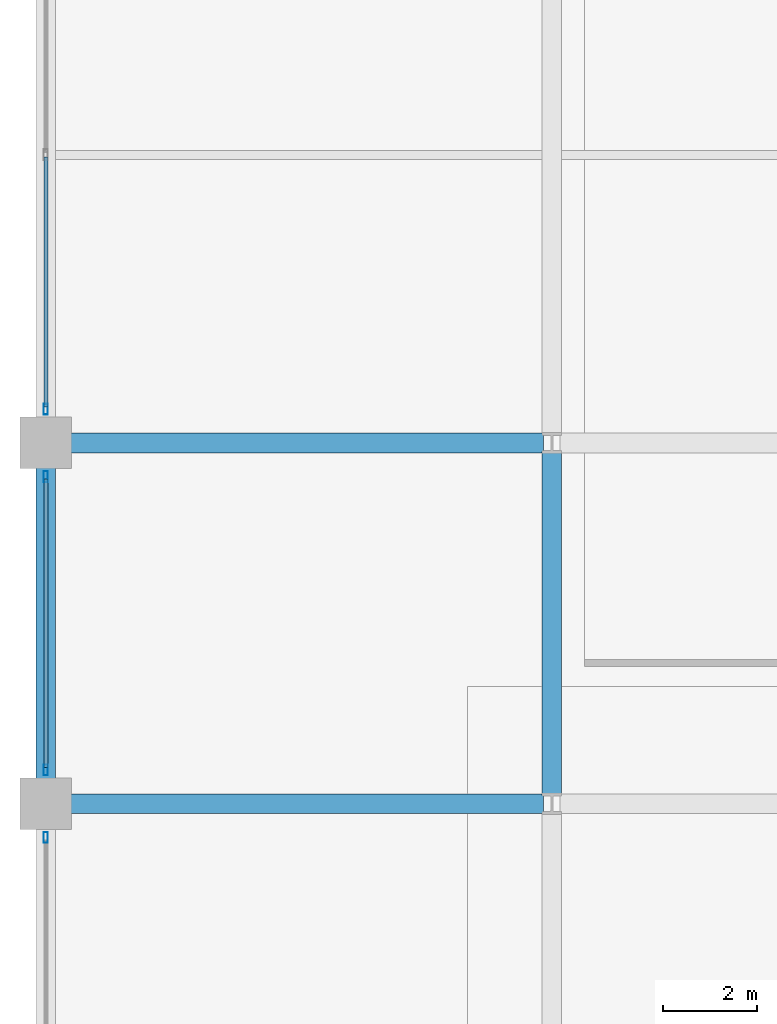
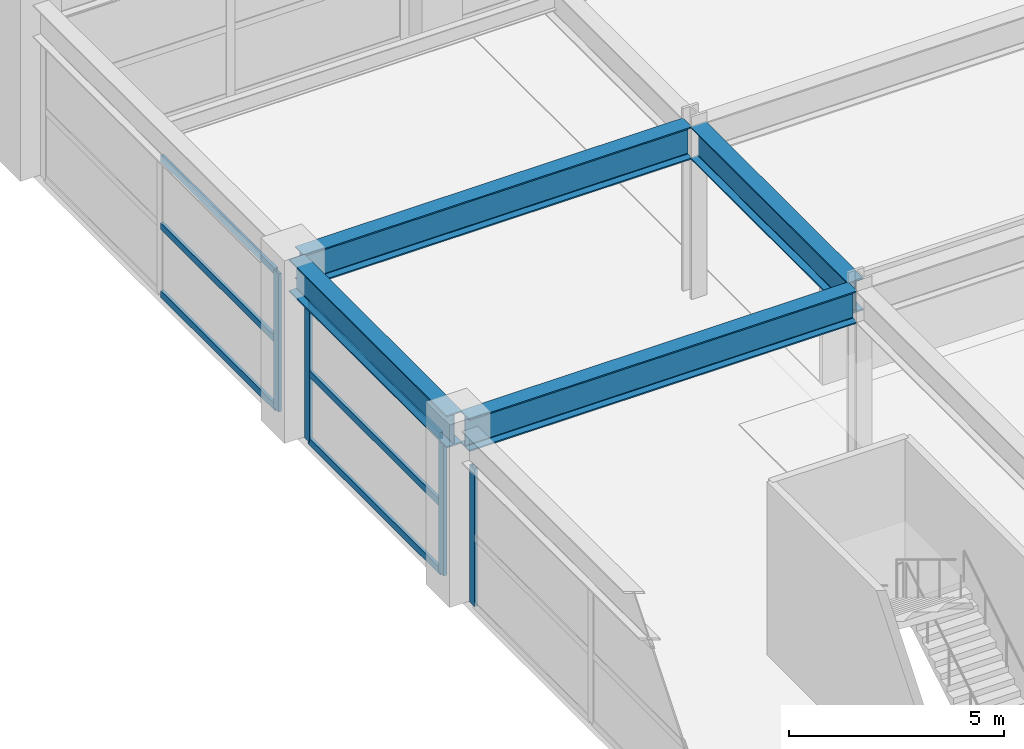
# One storey, part 13 of 43: 10 members, 4 beams, 3 elements without a shape of their own.
"""IFC4 building model written with IfcOpenShell, lengths in metres."""

import ifcopenshell
import ifcopenshell.guid

model = None  # the IFC model being written
_history = None  # IfcOwnerHistory: only IFC2X3 demands one
_inside = {}  # id of a spatial element -> (the spatial element, [elements in it])
_under = {}  # id of a project, library or spatial element -> (it, [spatial elements below it])
_declared = {}  # id of a project -> (the project, [libraries it declares])
_typed = {}  # id of a type object -> (the type object, [elements of that type])
_made_of = {}  # id of a material, layer set ... -> (it, [elements and type objects made of it])


def new_model(schema):
    """Start an empty IFC model of exactly this schema.

    Asked for "IFC4X3", IfcOpenShell would pick the latest addendum, in which some entities
    have other attributes; the version numbers below select the first issue.
    IFC2X3 requires an IfcOwnerHistory on every rooted entity: one is made here for all.
    """
    global model, _history
    if schema == "IFC4X3":
        model = ifcopenshell.file(schema_version=(4, 3, 0, 0))
    else:
        model = ifcopenshell.file(schema=schema)
    _inside.clear()
    _under.clear()
    _declared.clear()
    _typed.clear()
    _made_of.clear()
    _history = None
    if model.schema == "IFC2X3":
        org = make("IfcOrganization", Name="unknown")
        user = make(
            "IfcPersonAndOrganization",
            ThePerson=make("IfcPerson", FamilyName="unknown"),
            TheOrganization=org,
        )
        app = make(
            "IfcApplication",
            ApplicationDeveloper=org,
            Version="unknown",
            ApplicationFullName="unknown",
            ApplicationIdentifier="unknown",
        )
        _history = make(
            "IfcOwnerHistory",
            OwningUser=user,
            OwningApplication=app,
            ChangeAction="ADDED",
            CreationDate=0,
        )
    return model


def make(cls, **values):
    """One entity of the class cls with the attributes given. An attribute that is None is left unset."""
    return model.create_entity(
        cls, **{name: value for name, value in values.items() if value is not None}
    )


def rooted(cls, **values):
    """An entity with a GlobalId (a new one), such as an element, a storey or a relation."""
    return make(cls, GlobalId=ifcopenshell.guid.new(), OwnerHistory=_history, **values)


def si_unit(unit_type, name, prefix=None):
    """IfcSIUnit, for example si_unit("LENGTHUNIT", "METRE", prefix="MILLI")."""
    return make("IfcSIUnit", UnitType=unit_type, Prefix=prefix, Name=name)


def assignment(units):
    """IfcUnitAssignment: the units of a project."""
    return None if units is None else make("IfcUnitAssignment", Units=units)


def point(xyz):
    """IfcCartesianPoint."""
    return None if xyz is None else make("IfcCartesianPoint", Coordinates=xyz)


def direction(xyz):
    """IfcDirection."""
    return None if xyz is None else make("IfcDirection", DirectionRatios=xyz)


def frame(location, z_axis=None, x_axis=None):
    """IfcAxis2Placement3D, a coordinate frame: its origin and axes. An axis left out is left unset."""
    return make(
        "IfcAxis2Placement3D",
        Location=point(location),
        Axis=direction(z_axis),
        RefDirection=direction(x_axis),
    )


def frame_2d(location, x_axis=None):
    """IfcAxis2Placement2D, a coordinate frame in the plane: its origin and x axis."""
    return make(
        "IfcAxis2Placement2D", Location=point(location), RefDirection=direction(x_axis)
    )


def origin():
    """The frame at (0, 0, 0) with its axes left unset."""
    return frame((0.0, 0.0, 0.0))


def origin_2d():
    """The frame at (0, 0) in the plane with its x axis left unset."""
    return frame_2d((0.0, 0.0))


def place(relative_to, where):
    """IfcLocalPlacement: puts the frame where relative to a parent placement (None: the world)."""
    return make(
        "IfcLocalPlacement", PlacementRelTo=relative_to, RelativePlacement=where
    )


def context(
    kind, dimensions, precision=None, world=None, true_north=None, identifier=None
):
    """IfcGeometricRepresentationContext, for example the 3D "Model" context."""
    return make(
        "IfcGeometricRepresentationContext",
        ContextIdentifier=identifier,
        ContextType=kind,
        CoordinateSpaceDimension=dimensions,
        Precision=precision,
        WorldCoordinateSystem=world,
        TrueNorth=true_north,
    )


def subcontext(parent, identifier, kind, view, scale=None):
    """IfcGeometricRepresentationSubContext, for example "Body" below "Model"."""
    return make(
        "IfcGeometricRepresentationSubContext",
        ContextIdentifier=identifier,
        ContextType=kind,
        ParentContext=parent,
        TargetScale=scale,
        TargetView=view,
    )


def project(units=None, contexts=None):
    """IfcProject with its units and contexts."""
    return rooted(
        "IfcProject",
        Name="project",
        RepresentationContexts=contexts,
        UnitsInContext=assignment(units),
    )


def spatial(cls, under=None, at=None, **own):
    """A site, building, storey or space (cls), placed at a placement, below another one or the project."""
    s = rooted(cls, ObjectPlacement=at, **own)
    if under is not None:
        _under.setdefault(under.id(), (under, []))[1].append(s)
    return s


def profile(cls, at=None, kind="AREA", **sizes):
    """A parametric profile (cls). Its sizes go by their IFC names, for example OverallWidth=200.0."""
    return make(cls, ProfileType=kind, Position=at, **sizes)


def hollow_rectangle(**sizes):
    """IfcRectangleHollowProfileDef."""
    return profile("IfcRectangleHollowProfileDef", **sizes)


def i_section(**sizes):
    """IfcIShapeProfileDef."""
    return profile("IfcIShapeProfileDef", **sizes)


def extrude(swept, where, along, depth):
    """IfcExtrudedAreaSolid: the profile swept, set in the frame where, extruded along a direction by depth."""
    return make(
        "IfcExtrudedAreaSolid",
        SweptArea=swept,
        Position=where,
        ExtrudedDirection=direction(along),
        Depth=depth,
    )


def shape(context_of_items, identifier, shape_type, items):
    """IfcShapeRepresentation: the items that make up one representation, for example the "Body"."""
    return make(
        "IfcShapeRepresentation",
        ContextOfItems=context_of_items,
        RepresentationIdentifier=identifier,
        RepresentationType=shape_type,
        Items=items,
    )


def material(Name=None, Category=None):
    """IfcMaterial."""
    return make("IfcMaterial", Name=Name, Category=Category)


def material_profile(
    of_material, cross_section, Name=None, Category=None, Priority=None
):
    """IfcMaterialProfile: a cross section and its material."""
    return make(
        "IfcMaterialProfile",
        Name=Name,
        Material=of_material,
        Profile=cross_section,
        Priority=Priority,
        Category=Category,
    )


def profile_set(profiles, Name=None, composite=None):
    """IfcMaterialProfileSet."""
    return make(
        "IfcMaterialProfileSet",
        Name=Name,
        MaterialProfiles=profiles,
        CompositeProfile=composite,
    )


def made_of(thing, what):
    """Note that an element or type object is made of a material, layer set ...; save() writes the relation."""
    if what is not None:
        _made_of.setdefault(what.id(), (what, []))[1].append(thing)
    return thing


def type_object(cls, material=None, **own):
    """A type object (cls), such as IfcWallType, which elements share."""
    return made_of(rooted(cls, **own), material)


def element(
    cls,
    number,
    at=None,
    inside=None,
    cuts=None,
    type_object=None,
    material=None,
    context=None,
    identifier="Body",
    shape_type=None,
    held_by="IfcProductDefinitionShape",
    body=None,
    shapes=None,
    **own,
):
    """One element of the class cls, such as IfcWall. Its Tag is "e" and its number.

    at: its placement. inside: the storey or other place that contains it. cuts: it is an
    opening in that element (IfcRelVoidsElement). A single representation is given by context,
    identifier, shape_type and body (its items); several are given by shapes. held_by: the class
    of the entity that holds the representations. save() writes the other relations.
    """
    e = rooted(cls, Tag="e%d" % number, ObjectPlacement=at, **own)
    if body is not None:
        shapes = [shape(context, identifier, shape_type, body)]
    if shapes is not None:
        e.Representation = make(held_by, Representations=shapes)
    if inside is not None:
        _inside.setdefault(inside.id(), (inside, []))[1].append(e)
    if cuts is not None:
        rooted(
            "IfcRelVoidsElement", RelatingBuildingElement=cuts, RelatedOpeningElement=e
        )
    if type_object is not None:
        _typed.setdefault(type_object.id(), (type_object, []))[1].append(e)
    return made_of(e, material)


def aggregate(whole, parts):
    """IfcRelAggregates: a whole, such as a stair, and the parts it consists of."""
    return rooted("IfcRelAggregates", RelatingObject=whole, RelatedObjects=parts)


def save(model, path):
    """Write the relations noted so far, then the file.

    IfcRelAggregates (storeys below a building ...), IfcRelContainedInSpatialStructure (elements
    in a storey), IfcRelDefinesByType, IfcRelAssociatesMaterial and IfcRelDeclares: one each for
    every whole, place, type object, material and project.
    """
    for whole, parts in _under.values():
        aggregate(whole, parts)
    for where, things in _inside.values():
        rooted(
            "IfcRelContainedInSpatialStructure",
            RelatedElements=things,
            RelatingStructure=where,
        )
    for kind, things in _typed.values():
        rooted("IfcRelDefinesByType", RelatedObjects=things, RelatingType=kind)
    for what, things in _made_of.values():
        rooted("IfcRelAssociatesMaterial", RelatedObjects=things, RelatingMaterial=what)
    for by, libraries in _declared.values():
        rooted("IfcRelDeclares", RelatingContext=by, RelatedDefinitions=libraries)
    model.write(path)


model = new_model("IFC4")

# Units and contexts
model_context = context("Model", 3, precision=1e-05, world=origin(), true_north=direction((0.0, 1.0)))
body_context = subcontext(model_context, "Body", "Model", "MODEL_VIEW")
ifc_project = project(units=[si_unit("LENGTHUNIT", "METRE"), si_unit("AREAUNIT", "SQUARE_METRE"), si_unit("VOLUMEUNIT", "CUBIC_METRE"), si_unit("PLANEANGLEUNIT", "RADIAN"), si_unit("MASSUNIT", "GRAM", prefix="KILO")], contexts=[model_context])

# Site, building, storey
site_placement = place(None, origin())
site = spatial("IfcSite", under=ifc_project, at=site_placement, CompositionType="ELEMENT")
building_placement = place(site_placement, origin())
building = spatial("IfcBuilding", under=site, at=building_placement, Name="Kovane Verandah Tower", CompositionType="ELEMENT")
storey_placement = place(building_placement, frame((0.0, 0.0, 11.199951171875)))
storey = spatial("IfcBuildingStorey", under=building, at=storey_placement, Name="L02", CompositionType="ELEMENT", Elevation=11.199951171875)

# Beams
ifc_material_1 = material(Name="Steel S460", Category="steel")
ifc_material_profile_1 = material_profile(ifc_material_1, i_section(OverallWidth=0.42041015625, OverallDepth=0.9208984375, WebThickness=0.021484375, FlangeThickness=0.03662109375, FilletRadius=0.024169921875, at=origin_2d()), Name="UB914x419x388")
ifc_profile_set_1 = profile_set([ifc_material_profile_1], Name="Steel S460")
beam_type = type_object("IfcBeamType", Name="BM-UB914x388", PredefinedType="BEAM", material=ifc_profile_set_1)
for number, where, z_axis, x_axis, name in (
    (1, (-1.820068359375, 36.5, 4.439453125), (1.0, 0.0, 0.0), (0.0, 1.0, 0.0), "L02 Podium Grid Girder X09"),
    (2, (-1.820068359375, 44.199951171875, 4.439453125), (1.0, 0.0, 0.0), (0.0, 1.0, 0.0), "L02 Podium Grid Girder X13"),
):
    element("IfcBeam", number, at=place(storey_placement, frame(where, z_axis=z_axis, x_axis=x_axis)), inside=storey, type_object=beam_type, Name=name, PredefinedType="BEAM", context=body_context, shape_type="SweptSolid", body=[
        extrude(i_section(OverallWidth=0.42041015625, OverallDepth=0.9208984375, WebThickness=0.021484375, FlangeThickness=0.03662109375, FilletRadius=0.024169921875, at=origin_2d()), origin(), (0.0, 0.0, 1.0), 10.440185546875),
    ])
for number, where, z_axis, x_axis, name in (
    (3, (-2.0, 36.679931640625, 4.439453125), (0.0, 1.0, 0.0), (-1.0, 0.0, 0.0), "L02 Podium Grid Girder Y26"),
    (4, (8.800048828125, 36.679931640625, 4.439453125), (0.0, 1.0, 0.0), (-1.0, 0.0, 0.0), "L02 Podium Grid Girder Y30"),
):
    element("IfcBeam", number, at=place(storey_placement, frame(where, z_axis=z_axis, x_axis=x_axis)), inside=storey, type_object=beam_type, Name=name, PredefinedType="BEAM", context=body_context, shape_type="SweptSolid", body=[
        extrude(i_section(OverallWidth=0.42041015625, OverallDepth=0.9208984375, WebThickness=0.021484375, FlangeThickness=0.03662109375, FilletRadius=0.024169921875, at=origin_2d()), origin(), (0.0, 0.0, 1.0), 7.340087890625),
    ])

# Curtain wall, member
ifc_material_2 = material(Name="Champagne Anodised Aluminium Frame with Low-E Clear Laminated Glass", Category="aluminium")
curtain_wall_type = type_object("IfcCurtainWallType", Name="CW-SYS-01-POD", PredefinedType="NOTDEFINED", material=ifc_material_2)
curtain_wall_1_placement = place(storey_placement, origin())
curtain_wall_1 = element("IfcCurtainWall", 5, at=curtain_wall_1_placement, inside=storey, type_object=curtain_wall_type, Name="L02 West Podium Curtain Wall Bay 3", PredefinedType="NOTDEFINED")
ifc_material_3 = material(Name="Champagne Anodised Aluminium 6063-T6", Category="aluminium")
ifc_material_profile_2 = material_profile(ifc_material_3, hollow_rectangle(XDim=0.0849609375, YDim=0.22998046875, WallThickness=0.00390625, at=origin_2d()), Name="AL85x230x4")
ifc_profile_set_2 = profile_set([ifc_material_profile_2], Name="Champagne Anodised Aluminium 6063-T6")
member_type_1 = type_object("IfcMemberType", Name="CW-MUL-85x230", PredefinedType="MULLION", material=ifc_profile_set_2)
member_1_placement = place(storey_placement, frame((-2.0, 35.780029296875, 0.02001953125), z_axis=(0.0, 0.0, 1.0), x_axis=(-1.0, 0.0, 0.0)))
member_1 = element("IfcMember", 6, at=member_1_placement, type_object=member_type_1, Name="L02 West Podium Curtain Wall Bay 3 Mullion 1", PredefinedType="MULLION", context=body_context, shape_type="SweptSolid", body=[
    extrude(hollow_rectangle(XDim=0.0849609375, YDim=0.22998046875, WallThickness=0.00390625, at=origin_2d()), origin(), (0.0, 0.0, 1.0), 3.9189453125),
])
aggregate(curtain_wall_1, [member_1])

# Curtain wall, members
curtain_wall_2_placement = place(storey_placement, origin())
curtain_wall_2 = element("IfcCurtainWall", 7, at=curtain_wall_2_placement, inside=storey, type_object=curtain_wall_type, Name="L02 West Podium Curtain Wall Bay 4", PredefinedType="NOTDEFINED")
member_2_placement = place(storey_placement, frame((-2.0, 43.47998046875, 0.02001953125), z_axis=(0.0, 0.0, 1.0), x_axis=(-1.0, 0.0, 0.0)))
member_2 = element("IfcMember", 8, at=member_2_placement, type_object=member_type_1, Name="L02 West Podium Curtain Wall Bay 4 Mullion 1", PredefinedType="MULLION", context=body_context, shape_type="SweptSolid", body=[
    extrude(hollow_rectangle(XDim=0.0849609375, YDim=0.22998046875, WallThickness=0.00390625, at=origin_2d()), origin(), (0.0, 0.0, 1.0), 3.9189453125),
])
member_3_placement = place(storey_placement, frame((-2.0, 37.219970703125, 0.02001953125), z_axis=(0.0, 0.0, 1.0), x_axis=(-1.0, 0.0, 0.0)))
member_3 = element("IfcMember", 9, at=member_3_placement, type_object=member_type_1, Name="L02 West Podium Curtain Wall Bay 4 Mullion 2", PredefinedType="MULLION", context=body_context, shape_type="SweptSolid", body=[
    extrude(hollow_rectangle(XDim=0.0849609375, YDim=0.22998046875, WallThickness=0.00390625, at=origin_2d()), origin(), (0.0, 0.0, 1.0), 3.9189453125),
])

# Curtain wall, member
curtain_wall_3_placement = place(storey_placement, origin())
curtain_wall_3 = element("IfcCurtainWall", 10, at=curtain_wall_3_placement, inside=storey, type_object=curtain_wall_type, Name="L02 West Podium Curtain Wall Bay 5", PredefinedType="NOTDEFINED")
member_4_placement = place(storey_placement, frame((-2.0, 44.919921875, 0.02001953125), z_axis=(0.0, 0.0, 1.0), x_axis=(-1.0, 0.0, 0.0)))
member_4 = element("IfcMember", 11, at=member_4_placement, type_object=member_type_1, Name="L02 West Podium Curtain Wall Bay 5 Mullion 3", PredefinedType="MULLION", context=body_context, shape_type="SweptSolid", body=[
    extrude(hollow_rectangle(XDim=0.0849609375, YDim=0.22998046875, WallThickness=0.00390625, at=origin_2d()), origin(), (0.0, 0.0, 1.0), 3.9189453125),
])

# Member
ifc_material_profile_3 = material_profile(ifc_material_3, hollow_rectangle(XDim=0.0849609375, YDim=0.18994140625, WallThickness=0.00390625, at=origin_2d()), Name="AL85x190x4")
ifc_profile_set_3 = profile_set([ifc_material_profile_3], Name="Champagne Anodised Aluminium 6063-T6")
member_type_2 = type_object("IfcMemberType", Name="CW-TRN-85x190", PredefinedType="USERDEFINED", material=ifc_profile_set_3)
member_5_placement = place(storey_placement, frame((-2.0, 43.429931640625, 0.050048828125), z_axis=(0.0, -1.0, 0.0), x_axis=(1.0, 0.0, 0.0)))
member_5 = element("IfcMember", 12, at=member_5_placement, type_object=member_type_2, Name="L02 West Podium Curtain Wall Bay 4 Transom TB Bay 1", ObjectType="TRANSOM", PredefinedType="USERDEFINED", context=body_context, shape_type="SweptSolid", body=[
    extrude(hollow_rectangle(XDim=0.0849609375, YDim=0.18994140625, WallThickness=0.00390625, at=origin_2d()), origin(), (0.0, 0.0, 1.0), 6.159912109375),
])

member_6_placement = place(storey_placement, frame((-2.0, 43.429931640625, 1.9794921875), z_axis=(0.0, -1.0, 0.0), x_axis=(1.0, 0.0, 0.0)))
member_6 = element("IfcMember", 13, at=member_6_placement, type_object=member_type_2, Name="L02 West Podium Curtain Wall Bay 4 Transom TM Bay 1", ObjectType="TRANSOM", PredefinedType="USERDEFINED", context=body_context, shape_type="SweptSolid", body=[
    extrude(hollow_rectangle(XDim=0.0849609375, YDim=0.18994140625, WallThickness=0.00390625, at=origin_2d()), origin(), (0.0, 0.0, 1.0), 6.159912109375),
])

member_7_placement = place(storey_placement, frame((-2.0, 43.429931640625, 3.908935546875), z_axis=(0.0, -1.0, 0.0), x_axis=(1.0, 0.0, 0.0)))
member_7 = element("IfcMember", 14, at=member_7_placement, type_object=member_type_2, Name="L02 West Podium Curtain Wall Bay 4 Transom TT Bay 1", ObjectType="TRANSOM", PredefinedType="USERDEFINED", context=body_context, shape_type="SweptSolid", body=[
    extrude(hollow_rectangle(XDim=0.0849609375, YDim=0.18994140625, WallThickness=0.00390625, at=origin_2d()), origin(), (0.0, 0.0, 1.0), 6.159912109375),
])

aggregate(curtain_wall_2, [member_2, member_3, member_5, member_6, member_7])

member_8_placement = place(storey_placement, frame((-2.0, 50.300048828125, 0.050048828125), z_axis=(0.0, -1.0, 0.0), x_axis=(1.0, 0.0, 0.0)))
member_8 = element("IfcMember", 15, at=member_8_placement, type_object=member_type_2, Name="L02 West Podium Curtain Wall Bay 5 Transom TB Bay 2", ObjectType="TRANSOM", PredefinedType="USERDEFINED", context=body_context, shape_type="SweptSolid", body=[
    extrude(hollow_rectangle(XDim=0.0849609375, YDim=0.18994140625, WallThickness=0.00390625, at=origin_2d()), origin(), (0.0, 0.0, 1.0), 5.330078125),
])

member_9_placement = place(storey_placement, frame((-2.0, 50.300048828125, 1.9794921875), z_axis=(0.0, -1.0, 0.0), x_axis=(1.0, 0.0, 0.0)))
member_9 = element("IfcMember", 16, at=member_9_placement, type_object=member_type_2, Name="L02 West Podium Curtain Wall Bay 5 Transom TM Bay 2", ObjectType="TRANSOM", PredefinedType="USERDEFINED", context=body_context, shape_type="SweptSolid", body=[
    extrude(hollow_rectangle(XDim=0.0849609375, YDim=0.18994140625, WallThickness=0.00390625, at=origin_2d()), origin(), (0.0, 0.0, 1.0), 5.330078125),
])

member_10_placement = place(storey_placement, frame((-2.0, 50.300048828125, 3.908935546875), z_axis=(0.0, -1.0, 0.0), x_axis=(1.0, 0.0, 0.0)))
member_10 = element("IfcMember", 17, at=member_10_placement, type_object=member_type_2, Name="L02 West Podium Curtain Wall Bay 5 Transom TT Bay 2", ObjectType="TRANSOM", PredefinedType="USERDEFINED", context=body_context, shape_type="SweptSolid", body=[
    extrude(hollow_rectangle(XDim=0.0849609375, YDim=0.18994140625, WallThickness=0.00390625, at=origin_2d()), origin(), (0.0, 0.0, 1.0), 5.330078125),
])

aggregate(curtain_wall_3, [member_4, member_8, member_9, member_10])

save(model, "model.ifc")
